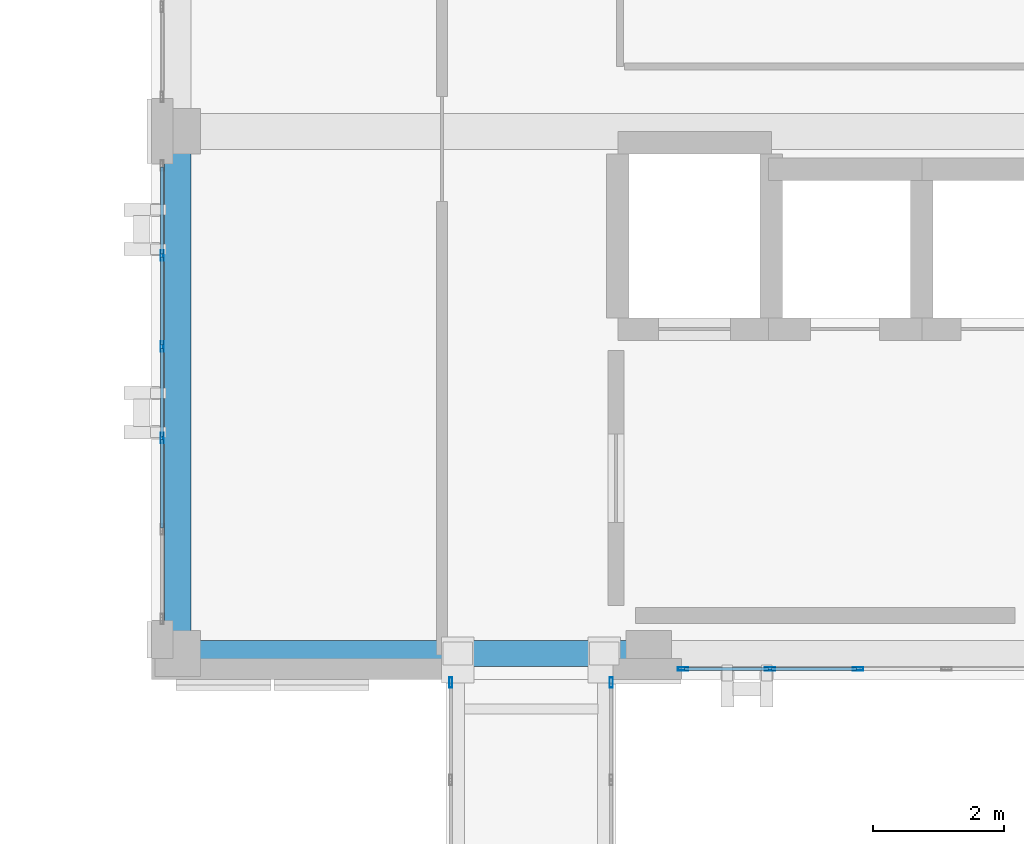
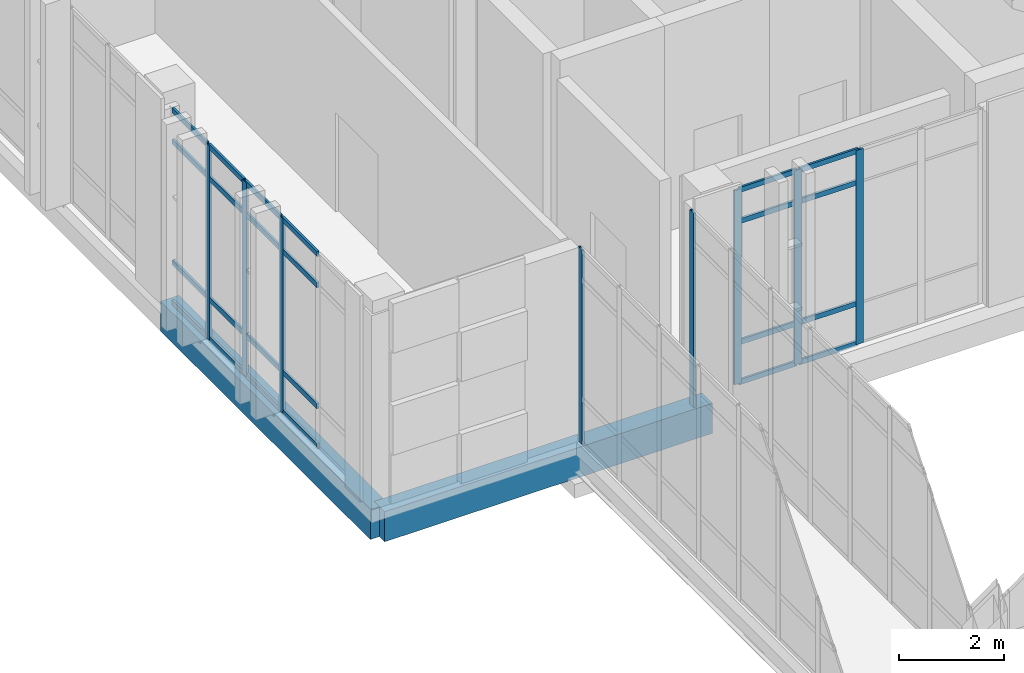
# One storey, part 57 of 189: 32 members, 2 beams, 4 elements without a shape of their own.
"""IFC4 building model written with IfcOpenShell, lengths in metres."""

import ifcopenshell
import ifcopenshell.guid

model = None  # the IFC model being written
_history = None  # IfcOwnerHistory: only IFC2X3 demands one
_inside = {}  # id of a spatial element -> (the spatial element, [elements in it])
_under = {}  # id of a project, library or spatial element -> (it, [spatial elements below it])
_declared = {}  # id of a project -> (the project, [libraries it declares])
_typed = {}  # id of a type object -> (the type object, [elements of that type])
_made_of = {}  # id of a material, layer set ... -> (it, [elements and type objects made of it])


def new_model(schema):
    """Start an empty IFC model of exactly this schema.

    Asked for "IFC4X3", IfcOpenShell would pick the latest addendum, in which some entities
    have other attributes; the version numbers below select the first issue.
    IFC2X3 requires an IfcOwnerHistory on every rooted entity: one is made here for all.
    """
    global model, _history
    if schema == "IFC4X3":
        model = ifcopenshell.file(schema_version=(4, 3, 0, 0))
    else:
        model = ifcopenshell.file(schema=schema)
    _inside.clear()
    _under.clear()
    _declared.clear()
    _typed.clear()
    _made_of.clear()
    _history = None
    if model.schema == "IFC2X3":
        org = make("IfcOrganization", Name="unknown")
        user = make(
            "IfcPersonAndOrganization",
            ThePerson=make("IfcPerson", FamilyName="unknown"),
            TheOrganization=org,
        )
        app = make(
            "IfcApplication",
            ApplicationDeveloper=org,
            Version="unknown",
            ApplicationFullName="unknown",
            ApplicationIdentifier="unknown",
        )
        _history = make(
            "IfcOwnerHistory",
            OwningUser=user,
            OwningApplication=app,
            ChangeAction="ADDED",
            CreationDate=0,
        )
    return model


def make(cls, **values):
    """One entity of the class cls with the attributes given. An attribute that is None is left unset."""
    return model.create_entity(
        cls, **{name: value for name, value in values.items() if value is not None}
    )


def rooted(cls, **values):
    """An entity with a GlobalId (a new one), such as an element, a storey or a relation."""
    return make(cls, GlobalId=ifcopenshell.guid.new(), OwnerHistory=_history, **values)


def si_unit(unit_type, name, prefix=None):
    """IfcSIUnit, for example si_unit("LENGTHUNIT", "METRE", prefix="MILLI")."""
    return make("IfcSIUnit", UnitType=unit_type, Prefix=prefix, Name=name)


def assignment(units):
    """IfcUnitAssignment: the units of a project."""
    return None if units is None else make("IfcUnitAssignment", Units=units)


def point(xyz):
    """IfcCartesianPoint."""
    return None if xyz is None else make("IfcCartesianPoint", Coordinates=xyz)


def direction(xyz):
    """IfcDirection."""
    return None if xyz is None else make("IfcDirection", DirectionRatios=xyz)


def frame(location, z_axis=None, x_axis=None):
    """IfcAxis2Placement3D, a coordinate frame: its origin and axes. An axis left out is left unset."""
    return make(
        "IfcAxis2Placement3D",
        Location=point(location),
        Axis=direction(z_axis),
        RefDirection=direction(x_axis),
    )


def frame_2d(location, x_axis=None):
    """IfcAxis2Placement2D, a coordinate frame in the plane: its origin and x axis."""
    return make(
        "IfcAxis2Placement2D", Location=point(location), RefDirection=direction(x_axis)
    )


def origin():
    """The frame at (0, 0, 0) with its axes left unset."""
    return frame((0.0, 0.0, 0.0))


def origin_2d():
    """The frame at (0, 0) in the plane with its x axis left unset."""
    return frame_2d((0.0, 0.0))


def place(relative_to, where):
    """IfcLocalPlacement: puts the frame where relative to a parent placement (None: the world)."""
    return make(
        "IfcLocalPlacement", PlacementRelTo=relative_to, RelativePlacement=where
    )


def context(
    kind, dimensions, precision=None, world=None, true_north=None, identifier=None
):
    """IfcGeometricRepresentationContext, for example the 3D "Model" context."""
    return make(
        "IfcGeometricRepresentationContext",
        ContextIdentifier=identifier,
        ContextType=kind,
        CoordinateSpaceDimension=dimensions,
        Precision=precision,
        WorldCoordinateSystem=world,
        TrueNorth=true_north,
    )


def subcontext(parent, identifier, kind, view, scale=None):
    """IfcGeometricRepresentationSubContext, for example "Body" below "Model"."""
    return make(
        "IfcGeometricRepresentationSubContext",
        ContextIdentifier=identifier,
        ContextType=kind,
        ParentContext=parent,
        TargetScale=scale,
        TargetView=view,
    )


def project(units=None, contexts=None):
    """IfcProject with its units and contexts."""
    return rooted(
        "IfcProject",
        Name="project",
        RepresentationContexts=contexts,
        UnitsInContext=assignment(units),
    )


def spatial(cls, under=None, at=None, **own):
    """A site, building, storey or space (cls), placed at a placement, below another one or the project."""
    s = rooted(cls, ObjectPlacement=at, **own)
    if under is not None:
        _under.setdefault(under.id(), (under, []))[1].append(s)
    return s


def profile(cls, at=None, kind="AREA", **sizes):
    """A parametric profile (cls). Its sizes go by their IFC names, for example OverallWidth=200.0."""
    return make(cls, ProfileType=kind, Position=at, **sizes)


def rectangle(**sizes):
    """IfcRectangleProfileDef."""
    return profile("IfcRectangleProfileDef", **sizes)


def hollow_rectangle(**sizes):
    """IfcRectangleHollowProfileDef."""
    return profile("IfcRectangleHollowProfileDef", **sizes)


def extrude(swept, where, along, depth):
    """IfcExtrudedAreaSolid: the profile swept, set in the frame where, extruded along a direction by depth."""
    return make(
        "IfcExtrudedAreaSolid",
        SweptArea=swept,
        Position=where,
        ExtrudedDirection=direction(along),
        Depth=depth,
    )


def shape(context_of_items, identifier, shape_type, items):
    """IfcShapeRepresentation: the items that make up one representation, for example the "Body"."""
    return make(
        "IfcShapeRepresentation",
        ContextOfItems=context_of_items,
        RepresentationIdentifier=identifier,
        RepresentationType=shape_type,
        Items=items,
    )


def material(Name=None, Category=None):
    """IfcMaterial."""
    return make("IfcMaterial", Name=Name, Category=Category)


def layer(
    of_material, thickness, ventilated=None, Name=None, Category=None, Priority=None
):
    """IfcMaterialLayer: one layer of a wall or slab, of a material (None: an air gap)."""
    return make(
        "IfcMaterialLayer",
        Material=of_material,
        LayerThickness=thickness,
        IsVentilated=ventilated,
        Name=Name,
        Category=Category,
        Priority=Priority,
    )


def layer_set(layers, Name=None):
    """IfcMaterialLayerSet."""
    return make("IfcMaterialLayerSet", MaterialLayers=layers, LayerSetName=Name)


def material_profile(
    of_material, cross_section, Name=None, Category=None, Priority=None
):
    """IfcMaterialProfile: a cross section and its material."""
    return make(
        "IfcMaterialProfile",
        Name=Name,
        Material=of_material,
        Profile=cross_section,
        Priority=Priority,
        Category=Category,
    )


def profile_set(profiles, Name=None, composite=None):
    """IfcMaterialProfileSet."""
    return make(
        "IfcMaterialProfileSet",
        Name=Name,
        MaterialProfiles=profiles,
        CompositeProfile=composite,
    )


def made_of(thing, what):
    """Note that an element or type object is made of a material, layer set ...; save() writes the relation."""
    if what is not None:
        _made_of.setdefault(what.id(), (what, []))[1].append(thing)
    return thing


def type_object(cls, material=None, **own):
    """A type object (cls), such as IfcWallType, which elements share."""
    return made_of(rooted(cls, **own), material)


def element(
    cls,
    number,
    at=None,
    inside=None,
    cuts=None,
    type_object=None,
    material=None,
    context=None,
    identifier="Body",
    shape_type=None,
    held_by="IfcProductDefinitionShape",
    body=None,
    shapes=None,
    **own,
):
    """One element of the class cls, such as IfcWall. Its Tag is "e" and its number.

    at: its placement. inside: the storey or other place that contains it. cuts: it is an
    opening in that element (IfcRelVoidsElement). A single representation is given by context,
    identifier, shape_type and body (its items); several are given by shapes. held_by: the class
    of the entity that holds the representations. save() writes the other relations.
    """
    e = rooted(cls, Tag="e%d" % number, ObjectPlacement=at, **own)
    if body is not None:
        shapes = [shape(context, identifier, shape_type, body)]
    if shapes is not None:
        e.Representation = make(held_by, Representations=shapes)
    if inside is not None:
        _inside.setdefault(inside.id(), (inside, []))[1].append(e)
    if cuts is not None:
        rooted(
            "IfcRelVoidsElement", RelatingBuildingElement=cuts, RelatedOpeningElement=e
        )
    if type_object is not None:
        _typed.setdefault(type_object.id(), (type_object, []))[1].append(e)
    return made_of(e, material)


def aggregate(whole, parts):
    """IfcRelAggregates: a whole, such as a stair, and the parts it consists of."""
    return rooted("IfcRelAggregates", RelatingObject=whole, RelatedObjects=parts)


def save(model, path):
    """Write the relations noted so far, then the file.

    IfcRelAggregates (storeys below a building ...), IfcRelContainedInSpatialStructure (elements
    in a storey), IfcRelDefinesByType, IfcRelAssociatesMaterial and IfcRelDeclares: one each for
    every whole, place, type object, material and project.
    """
    for whole, parts in _under.values():
        aggregate(whole, parts)
    for where, things in _inside.values():
        rooted(
            "IfcRelContainedInSpatialStructure",
            RelatedElements=things,
            RelatingStructure=where,
        )
    for kind, things in _typed.values():
        rooted("IfcRelDefinesByType", RelatedObjects=things, RelatingType=kind)
    for what, things in _made_of.values():
        rooted("IfcRelAssociatesMaterial", RelatedObjects=things, RelatingMaterial=what)
    for by, libraries in _declared.values():
        rooted("IfcRelDeclares", RelatingContext=by, RelatedDefinitions=libraries)
    model.write(path)


model = new_model("IFC4")

# Units and contexts
model_context = context("Model", 3, precision=1e-05, world=origin(), true_north=direction((0.0, 1.0)))
body_context = subcontext(model_context, "Body", "Model", "MODEL_VIEW")
ifc_project = project(units=[si_unit("LENGTHUNIT", "METRE"), si_unit("AREAUNIT", "SQUARE_METRE"), si_unit("VOLUMEUNIT", "CUBIC_METRE"), si_unit("PLANEANGLEUNIT", "RADIAN"), si_unit("MASSUNIT", "GRAM", prefix="KILO")], contexts=[model_context])

# Site, building, storey
site_placement = place(None, origin())
site = spatial("IfcSite", under=ifc_project, at=site_placement, CompositionType="ELEMENT")
building_placement = place(site_placement, origin())
building = spatial("IfcBuilding", under=site, at=building_placement, Name="Qalavern Law Courts", CompositionType="ELEMENT")
storey_placement = place(building_placement, frame((0.0, 0.0, 5.39990234375)))
storey = spatial("IfcBuildingStorey", under=building, at=storey_placement, Name="L01", CompositionType="ELEMENT", Elevation=5.39990234375)

# Curtain wall, members
ifc_material_1 = material(Name="Anodised aluminium and insulated glazing", Category="aluminium")
ifc_layer_1 = layer(ifc_material_1, 0.172119140625)
ifc_layer_set_1 = layer_set([ifc_layer_1], Name="Anodised aluminium and insulated glazing")
curtain_wall_type_1 = type_object("IfcCurtainWallType", Name="ENV-CW-COURT", PredefinedType="USERDEFINED", material=ifc_layer_set_1)
curtain_wall_1_placement = place(storey_placement, origin())
curtain_wall_1 = element("IfcCurtainWall", 1, at=curtain_wall_1_placement, inside=storey, type_object=curtain_wall_type_1, Name="V4 unitised curtain wall L01 south 1", ObjectType="UNITISED CURTAIN WALL", PredefinedType="USERDEFINED")
ifc_material_2 = material(Name="Anodised aluminium", Category="aluminium")
ifc_material_profile_1 = material_profile(ifc_material_2, hollow_rectangle(XDim=0.048095703125, YDim=0.159912109375, WallThickness=0.00390625, at=origin_2d()), Name="ALU MULLION 48x160")
ifc_profile_set_1 = profile_set([ifc_material_profile_1], Name="Anodised aluminium")
member_type_1 = type_object("IfcMemberType", Name="ENV-CWM-48x160", PredefinedType="MULLION", material=ifc_profile_set_1)
member_1_placement = place(storey_placement, frame((92.323974609375, 41.1826171875, 0.0), z_axis=(0.0, 0.0, 1.0), x_axis=(0.0, 1.0, 0.0)))
member_1 = element("IfcMember", 2, at=member_1_placement, type_object=member_type_1, Name="CW-03 mullion 1", PredefinedType="MULLION", context=body_context, shape_type="SweptSolid", body=[
    extrude(hollow_rectangle(XDim=0.048095703125, YDim=0.159912109375, WallThickness=0.00390625, at=origin_2d()), origin(), (0.0, 0.0, 1.0), 4.510009765625),
])
member_2_placement = place(storey_placement, frame((93.64990234375, 41.1826171875, 0.0), z_axis=(0.0, 0.0, 1.0), x_axis=(0.0, 1.0, 0.0)))
member_2 = element("IfcMember", 3, at=member_2_placement, type_object=member_type_1, Name="CW-03 mullion 2", PredefinedType="MULLION", context=body_context, shape_type="SweptSolid", body=[
    extrude(hollow_rectangle(XDim=0.048095703125, YDim=0.159912109375, WallThickness=0.00390625, at=origin_2d()), origin(), (0.0, 0.0, 1.0), 4.510009765625),
])
member_3_placement = place(storey_placement, frame((95.0, 41.1826171875, 0.0), z_axis=(0.0, 0.0, 1.0), x_axis=(0.0, 1.0, 0.0)))
member_3 = element("IfcMember", 4, at=member_3_placement, type_object=member_type_1, Name="CW-03 mullion 3", PredefinedType="MULLION", context=body_context, shape_type="SweptSolid", body=[
    extrude(hollow_rectangle(XDim=0.048095703125, YDim=0.159912109375, WallThickness=0.00390625, at=origin_2d()), origin(), (0.0, 0.0, 1.0), 4.510009765625),
])

curtain_wall_2_placement = place(storey_placement, origin())
curtain_wall_2 = element("IfcCurtainWall", 5, at=curtain_wall_2_placement, inside=storey, type_object=curtain_wall_type_1, Name="V4 unitised curtain wall L01 west 6", ObjectType="UNITISED CURTAIN WALL", PredefinedType="USERDEFINED")
member_4_placement = place(storey_placement, frame((84.362548828125, 47.50390625, 0.0), z_axis=(0.0, 0.0, 1.0), x_axis=(1.0, 0.0, 0.0)))
member_4 = element("IfcMember", 6, at=member_4_placement, type_object=member_type_1, Name="CW-03 mullion 2", PredefinedType="MULLION", context=body_context, shape_type="SweptSolid", body=[
    extrude(hollow_rectangle(XDim=0.048095703125, YDim=0.159912109375, WallThickness=0.00390625, at=origin_2d()), origin(), (0.0, 0.0, 1.0), 4.510009765625),
])
member_5_placement = place(storey_placement, frame((84.362548828125, 46.10791015625, 0.0), z_axis=(0.0, 0.0, 1.0), x_axis=(1.0, 0.0, 0.0)))
member_5 = element("IfcMember", 7, at=member_5_placement, type_object=member_type_1, Name="CW-03 mullion 3", PredefinedType="MULLION", context=body_context, shape_type="SweptSolid", body=[
    extrude(hollow_rectangle(XDim=0.048095703125, YDim=0.159912109375, WallThickness=0.00390625, at=origin_2d()), origin(), (0.0, 0.0, 1.0), 4.510009765625),
])
member_6_placement = place(storey_placement, frame((84.362548828125, 44.7119140625, 0.0), z_axis=(0.0, 0.0, 1.0), x_axis=(1.0, 0.0, 0.0)))
member_6 = element("IfcMember", 8, at=member_6_placement, type_object=member_type_1, Name="CW-03 mullion 4", PredefinedType="MULLION", context=body_context, shape_type="SweptSolid", body=[
    extrude(hollow_rectangle(XDim=0.048095703125, YDim=0.159912109375, WallThickness=0.00390625, at=origin_2d()), origin(), (0.0, 0.0, 1.0), 4.510009765625),
])

# Curtain wall, member
ifc_layer_2 = layer(ifc_material_1, 0.14990234375)
ifc_layer_set_2 = layer_set([ifc_layer_2], Name="Anodised aluminium and insulated glazing")
curtain_wall_type_2 = type_object("IfcCurtainWallType", Name="ENV-CW-BRG", PredefinedType="USERDEFINED", material=ifc_layer_set_2)
curtain_wall_3_placement = place(storey_placement, origin())
curtain_wall_3 = element("IfcCurtainWall", 9, at=curtain_wall_3_placement, inside=storey, type_object=curtain_wall_type_2, Name="Bridge BR-V2-V4 glazed curtain wall L01-1", ObjectType="UNITISED CURTAIN WALL", PredefinedType="USERDEFINED")
member_7_placement = place(storey_placement, frame((88.77490234375, 40.97607421875, 0.0), z_axis=(0.0, 0.0, 1.0), x_axis=(1.0, 0.0, 0.0)))
member_7 = element("IfcMember", 10, at=member_7_placement, type_object=member_type_1, Name="CW-06 mullion 1", PredefinedType="MULLION", context=body_context, shape_type="SweptSolid", body=[
    extrude(hollow_rectangle(XDim=0.048095703125, YDim=0.159912109375, WallThickness=0.00390625, at=origin_2d()), origin(), (0.0, 0.0, 1.0), 4.510009765625),
])
aggregate(curtain_wall_3, [member_7])

curtain_wall_4_placement = place(storey_placement, origin())
curtain_wall_4 = element("IfcCurtainWall", 11, at=curtain_wall_4_placement, inside=storey, type_object=curtain_wall_type_2, Name="Bridge BR-V2-V4 glazed curtain wall L01-2", ObjectType="UNITISED CURTAIN WALL", PredefinedType="USERDEFINED")
member_8_placement = place(storey_placement, frame((91.22509765625, 40.97607421875, 0.0), z_axis=(0.0, 0.0, 1.0), x_axis=(-1.0, 0.0, 0.0)))
member_8 = element("IfcMember", 12, at=member_8_placement, type_object=member_type_1, Name="CW-06 mullion 8", PredefinedType="MULLION", context=body_context, shape_type="SweptSolid", body=[
    extrude(hollow_rectangle(XDim=0.048095703125, YDim=0.159912109375, WallThickness=0.00390625, at=origin_2d()), origin(), (0.0, 0.0, 1.0), 4.510009765625),
])
aggregate(curtain_wall_4, [member_8])

# Member
ifc_material_profile_2 = material_profile(ifc_material_2, hollow_rectangle(XDim=0.048095703125, YDim=0.1201171875, WallThickness=0.00390625, at=origin_2d()), Name="ALU TRANSOM 48x120")
ifc_profile_set_2 = profile_set([ifc_material_profile_2], Name="Anodised aluminium")
member_type_2 = type_object("IfcMemberType", Name="ENV-CWT-48x120", PredefinedType="USERDEFINED", material=ifc_profile_set_2)
member_9_placement = place(storey_placement, frame((92.347900390625, 41.1826171875, 0.024169921875), z_axis=(1.0, 0.0, 0.0), x_axis=(0.0, 1.0, 0.0)))
member_9 = element("IfcMember", 13, at=member_9_placement, type_object=member_type_2, Name="CW-03 transom 1.1", ObjectType="TRANSOM", PredefinedType="USERDEFINED", context=body_context, shape_type="SweptSolid", body=[
    extrude(hollow_rectangle(XDim=0.048095703125, YDim=0.1201171875, WallThickness=0.00390625, at=origin_2d()), origin(), (0.0, 0.0, 1.0), 1.278076171875),
])

member_10_placement = place(storey_placement, frame((92.347900390625, 41.1826171875, 0.9501953125), z_axis=(1.0, 0.0, 0.0), x_axis=(0.0, 1.0, 0.0)))
member_10 = element("IfcMember", 14, at=member_10_placement, type_object=member_type_2, Name="CW-03 transom 1.2", ObjectType="TRANSOM", PredefinedType="USERDEFINED", context=body_context, shape_type="SweptSolid", body=[
    extrude(hollow_rectangle(XDim=0.048095703125, YDim=0.1201171875, WallThickness=0.00390625, at=origin_2d()), origin(), (0.0, 0.0, 1.0), 1.278076171875),
])

member_11_placement = place(storey_placement, frame((92.347900390625, 41.1826171875, 3.760009765625), z_axis=(1.0, 0.0, 0.0), x_axis=(0.0, 1.0, 0.0)))
member_11 = element("IfcMember", 15, at=member_11_placement, type_object=member_type_2, Name="CW-03 transom 1.3", ObjectType="TRANSOM", PredefinedType="USERDEFINED", context=body_context, shape_type="SweptSolid", body=[
    extrude(hollow_rectangle(XDim=0.048095703125, YDim=0.1201171875, WallThickness=0.00390625, at=origin_2d()), origin(), (0.0, 0.0, 1.0), 1.278076171875),
])

member_12_placement = place(storey_placement, frame((92.347900390625, 41.1826171875, 4.486083984375), z_axis=(1.0, 0.0, 0.0), x_axis=(0.0, 1.0, 0.0)))
member_12 = element("IfcMember", 16, at=member_12_placement, type_object=member_type_2, Name="CW-03 transom 1.4", ObjectType="TRANSOM", PredefinedType="USERDEFINED", context=body_context, shape_type="SweptSolid", body=[
    extrude(hollow_rectangle(XDim=0.048095703125, YDim=0.1201171875, WallThickness=0.00390625, at=origin_2d()), origin(), (0.0, 0.0, 1.0), 1.278076171875),
])

member_13_placement = place(storey_placement, frame((93.674072265625, 41.1826171875, 0.024169921875), z_axis=(1.0, 0.0, 0.0), x_axis=(0.0, 1.0, 0.0)))
member_13 = element("IfcMember", 17, at=member_13_placement, type_object=member_type_2, Name="CW-03 transom 2.1", ObjectType="TRANSOM", PredefinedType="USERDEFINED", context=body_context, shape_type="SweptSolid", body=[
    extrude(hollow_rectangle(XDim=0.048095703125, YDim=0.1201171875, WallThickness=0.00390625, at=origin_2d()), origin(), (0.0, 0.0, 1.0), 1.302001953125),
])

member_14_placement = place(storey_placement, frame((93.674072265625, 41.1826171875, 0.9501953125), z_axis=(1.0, 0.0, 0.0), x_axis=(0.0, 1.0, 0.0)))
member_14 = element("IfcMember", 18, at=member_14_placement, type_object=member_type_2, Name="CW-03 transom 2.2", ObjectType="TRANSOM", PredefinedType="USERDEFINED", context=body_context, shape_type="SweptSolid", body=[
    extrude(hollow_rectangle(XDim=0.048095703125, YDim=0.1201171875, WallThickness=0.00390625, at=origin_2d()), origin(), (0.0, 0.0, 1.0), 1.302001953125),
])

member_15_placement = place(storey_placement, frame((93.674072265625, 41.1826171875, 3.760009765625), z_axis=(1.0, 0.0, 0.0), x_axis=(0.0, 1.0, 0.0)))
member_15 = element("IfcMember", 19, at=member_15_placement, type_object=member_type_2, Name="CW-03 transom 2.3", ObjectType="TRANSOM", PredefinedType="USERDEFINED", context=body_context, shape_type="SweptSolid", body=[
    extrude(hollow_rectangle(XDim=0.048095703125, YDim=0.1201171875, WallThickness=0.00390625, at=origin_2d()), origin(), (0.0, 0.0, 1.0), 1.302001953125),
])

member_16_placement = place(storey_placement, frame((93.674072265625, 41.1826171875, 4.486083984375), z_axis=(1.0, 0.0, 0.0), x_axis=(0.0, 1.0, 0.0)))
member_16 = element("IfcMember", 20, at=member_16_placement, type_object=member_type_2, Name="CW-03 transom 2.4", ObjectType="TRANSOM", PredefinedType="USERDEFINED", context=body_context, shape_type="SweptSolid", body=[
    extrude(hollow_rectangle(XDim=0.048095703125, YDim=0.1201171875, WallThickness=0.00390625, at=origin_2d()), origin(), (0.0, 0.0, 1.0), 1.302001953125),
])

aggregate(curtain_wall_1, [member_1, member_2, member_3, member_9, member_10, member_11, member_12, member_13, member_14, member_15, member_16])

member_17_placement = place(storey_placement, frame((84.362548828125, 48.85205078125, 0.024169921875), z_axis=(0.0, -1.0, 0.0), x_axis=(1.0, 0.0, 0.0)))
member_17 = element("IfcMember", 21, at=member_17_placement, type_object=member_type_2, Name="CW-03 transom 1.1", ObjectType="TRANSOM", PredefinedType="USERDEFINED", context=body_context, shape_type="SweptSolid", body=[
    extrude(hollow_rectangle(XDim=0.048095703125, YDim=0.1201171875, WallThickness=0.00390625, at=origin_2d()), origin(), (0.0, 0.0, 1.0), 1.323974609375),
])

member_18_placement = place(storey_placement, frame((84.362548828125, 48.85205078125, 0.9501953125), z_axis=(0.0, -1.0, 0.0), x_axis=(1.0, 0.0, 0.0)))
member_18 = element("IfcMember", 22, at=member_18_placement, type_object=member_type_2, Name="CW-03 transom 1.2", ObjectType="TRANSOM", PredefinedType="USERDEFINED", context=body_context, shape_type="SweptSolid", body=[
    extrude(hollow_rectangle(XDim=0.048095703125, YDim=0.1201171875, WallThickness=0.00390625, at=origin_2d()), origin(), (0.0, 0.0, 1.0), 1.323974609375),
])

member_19_placement = place(storey_placement, frame((84.362548828125, 48.85205078125, 3.760009765625), z_axis=(0.0, -1.0, 0.0), x_axis=(1.0, 0.0, 0.0)))
member_19 = element("IfcMember", 23, at=member_19_placement, type_object=member_type_2, Name="CW-03 transom 1.3", ObjectType="TRANSOM", PredefinedType="USERDEFINED", context=body_context, shape_type="SweptSolid", body=[
    extrude(hollow_rectangle(XDim=0.048095703125, YDim=0.1201171875, WallThickness=0.00390625, at=origin_2d()), origin(), (0.0, 0.0, 1.0), 1.323974609375),
])

member_20_placement = place(storey_placement, frame((84.362548828125, 48.85205078125, 4.486083984375), z_axis=(0.0, -1.0, 0.0), x_axis=(1.0, 0.0, 0.0)))
member_20 = element("IfcMember", 24, at=member_20_placement, type_object=member_type_2, Name="CW-03 transom 1.4", ObjectType="TRANSOM", PredefinedType="USERDEFINED", context=body_context, shape_type="SweptSolid", body=[
    extrude(hollow_rectangle(XDim=0.048095703125, YDim=0.1201171875, WallThickness=0.00390625, at=origin_2d()), origin(), (0.0, 0.0, 1.0), 1.323974609375),
])

member_21_placement = place(storey_placement, frame((84.362548828125, 47.47998046875, 0.024169921875), z_axis=(0.0, -1.0, 0.0), x_axis=(1.0, 0.0, 0.0)))
member_21 = element("IfcMember", 25, at=member_21_placement, type_object=member_type_2, Name="CW-03 transom 2.1", ObjectType="TRANSOM", PredefinedType="USERDEFINED", context=body_context, shape_type="SweptSolid", body=[
    extrude(hollow_rectangle(XDim=0.048095703125, YDim=0.1201171875, WallThickness=0.00390625, at=origin_2d()), origin(), (0.0, 0.0, 1.0), 1.347900390625),
])

member_22_placement = place(storey_placement, frame((84.362548828125, 47.47998046875, 0.9501953125), z_axis=(0.0, -1.0, 0.0), x_axis=(1.0, 0.0, 0.0)))
member_22 = element("IfcMember", 26, at=member_22_placement, type_object=member_type_2, Name="CW-03 transom 2.2", ObjectType="TRANSOM", PredefinedType="USERDEFINED", context=body_context, shape_type="SweptSolid", body=[
    extrude(hollow_rectangle(XDim=0.048095703125, YDim=0.1201171875, WallThickness=0.00390625, at=origin_2d()), origin(), (0.0, 0.0, 1.0), 1.347900390625),
])

member_23_placement = place(storey_placement, frame((84.362548828125, 47.47998046875, 3.760009765625), z_axis=(0.0, -1.0, 0.0), x_axis=(1.0, 0.0, 0.0)))
member_23 = element("IfcMember", 27, at=member_23_placement, type_object=member_type_2, Name="CW-03 transom 2.3", ObjectType="TRANSOM", PredefinedType="USERDEFINED", context=body_context, shape_type="SweptSolid", body=[
    extrude(hollow_rectangle(XDim=0.048095703125, YDim=0.1201171875, WallThickness=0.00390625, at=origin_2d()), origin(), (0.0, 0.0, 1.0), 1.347900390625),
])

member_24_placement = place(storey_placement, frame((84.362548828125, 47.47998046875, 4.486083984375), z_axis=(0.0, -1.0, 0.0), x_axis=(1.0, 0.0, 0.0)))
member_24 = element("IfcMember", 28, at=member_24_placement, type_object=member_type_2, Name="CW-03 transom 2.4", ObjectType="TRANSOM", PredefinedType="USERDEFINED", context=body_context, shape_type="SweptSolid", body=[
    extrude(hollow_rectangle(XDim=0.048095703125, YDim=0.1201171875, WallThickness=0.00390625, at=origin_2d()), origin(), (0.0, 0.0, 1.0), 1.347900390625),
])

member_25_placement = place(storey_placement, frame((84.362548828125, 46.083984375, 0.024169921875), z_axis=(0.0, -1.0, 0.0), x_axis=(1.0, 0.0, 0.0)))
member_25 = element("IfcMember", 29, at=member_25_placement, type_object=member_type_2, Name="CW-03 transom 3.1", ObjectType="TRANSOM", PredefinedType="USERDEFINED", context=body_context, shape_type="SweptSolid", body=[
    extrude(hollow_rectangle(XDim=0.048095703125, YDim=0.1201171875, WallThickness=0.00390625, at=origin_2d()), origin(), (0.0, 0.0, 1.0), 1.347900390625),
])

member_26_placement = place(storey_placement, frame((84.362548828125, 46.083984375, 0.9501953125), z_axis=(0.0, -1.0, 0.0), x_axis=(1.0, 0.0, 0.0)))
member_26 = element("IfcMember", 30, at=member_26_placement, type_object=member_type_2, Name="CW-03 transom 3.2", ObjectType="TRANSOM", PredefinedType="USERDEFINED", context=body_context, shape_type="SweptSolid", body=[
    extrude(hollow_rectangle(XDim=0.048095703125, YDim=0.1201171875, WallThickness=0.00390625, at=origin_2d()), origin(), (0.0, 0.0, 1.0), 1.347900390625),
])

member_27_placement = place(storey_placement, frame((84.362548828125, 46.083984375, 3.760009765625), z_axis=(0.0, -1.0, 0.0), x_axis=(1.0, 0.0, 0.0)))
member_27 = element("IfcMember", 31, at=member_27_placement, type_object=member_type_2, Name="CW-03 transom 3.3", ObjectType="TRANSOM", PredefinedType="USERDEFINED", context=body_context, shape_type="SweptSolid", body=[
    extrude(hollow_rectangle(XDim=0.048095703125, YDim=0.1201171875, WallThickness=0.00390625, at=origin_2d()), origin(), (0.0, 0.0, 1.0), 1.347900390625),
])

member_28_placement = place(storey_placement, frame((84.362548828125, 46.083984375, 4.486083984375), z_axis=(0.0, -1.0, 0.0), x_axis=(1.0, 0.0, 0.0)))
member_28 = element("IfcMember", 32, at=member_28_placement, type_object=member_type_2, Name="CW-03 transom 3.4", ObjectType="TRANSOM", PredefinedType="USERDEFINED", context=body_context, shape_type="SweptSolid", body=[
    extrude(hollow_rectangle(XDim=0.048095703125, YDim=0.1201171875, WallThickness=0.00390625, at=origin_2d()), origin(), (0.0, 0.0, 1.0), 1.347900390625),
])

member_29_placement = place(storey_placement, frame((84.362548828125, 44.68798828125, 0.024169921875), z_axis=(0.0, -1.0, 0.0), x_axis=(1.0, 0.0, 0.0)))
member_29 = element("IfcMember", 33, at=member_29_placement, type_object=member_type_2, Name="CW-03 transom 4.1", ObjectType="TRANSOM", PredefinedType="USERDEFINED", context=body_context, shape_type="SweptSolid", body=[
    extrude(hollow_rectangle(XDim=0.048095703125, YDim=0.1201171875, WallThickness=0.00390625, at=origin_2d()), origin(), (0.0, 0.0, 1.0), 1.347900390625),
])

member_30_placement = place(storey_placement, frame((84.362548828125, 44.68798828125, 0.9501953125), z_axis=(0.0, -1.0, 0.0), x_axis=(1.0, 0.0, 0.0)))
member_30 = element("IfcMember", 34, at=member_30_placement, type_object=member_type_2, Name="CW-03 transom 4.2", ObjectType="TRANSOM", PredefinedType="USERDEFINED", context=body_context, shape_type="SweptSolid", body=[
    extrude(hollow_rectangle(XDim=0.048095703125, YDim=0.1201171875, WallThickness=0.00390625, at=origin_2d()), origin(), (0.0, 0.0, 1.0), 1.347900390625),
])

member_31_placement = place(storey_placement, frame((84.362548828125, 44.68798828125, 3.760009765625), z_axis=(0.0, -1.0, 0.0), x_axis=(1.0, 0.0, 0.0)))
member_31 = element("IfcMember", 35, at=member_31_placement, type_object=member_type_2, Name="CW-03 transom 4.3", ObjectType="TRANSOM", PredefinedType="USERDEFINED", context=body_context, shape_type="SweptSolid", body=[
    extrude(hollow_rectangle(XDim=0.048095703125, YDim=0.1201171875, WallThickness=0.00390625, at=origin_2d()), origin(), (0.0, 0.0, 1.0), 1.347900390625),
])

member_32_placement = place(storey_placement, frame((84.362548828125, 44.68798828125, 4.486083984375), z_axis=(0.0, -1.0, 0.0), x_axis=(1.0, 0.0, 0.0)))
member_32 = element("IfcMember", 36, at=member_32_placement, type_object=member_type_2, Name="CW-03 transom 4.4", ObjectType="TRANSOM", PredefinedType="USERDEFINED", context=body_context, shape_type="SweptSolid", body=[
    extrude(hollow_rectangle(XDim=0.048095703125, YDim=0.1201171875, WallThickness=0.00390625, at=origin_2d()), origin(), (0.0, 0.0, 1.0), 1.347900390625),
])

aggregate(curtain_wall_2, [member_4, member_5, member_6, member_17, member_18, member_19, member_20, member_21, member_22, member_23, member_24, member_25, member_26, member_27, member_28, member_29, member_30, member_31, member_32])

# Beams
ifc_material_3 = material(Name="Concrete C40/50", Category="concrete")
ifc_material_profile_3 = material_profile(ifc_material_3, rectangle(XDim=0.39990234375, YDim=0.699951171875, at=origin_2d()), Name="RC 400x700")
ifc_profile_set_3 = profile_set([ifc_material_profile_3], Name="Concrete C40/50")
beam_type = type_object("IfcBeamType", Name="STR-SP-RC400x700", PredefinedType="SPANDREL", material=ifc_profile_set_3)
beam_1_placement = place(storey_placement, frame((84.60009765625, 41.419921875, -0.64990234375), z_axis=(1.0, 0.0, 0.0), x_axis=(0.0, 1.0, 0.0)))
element("IfcBeam", 37, at=beam_1_placement, inside=storey, type_object=beam_type, Name="V4 X-beam 1-1 L01", PredefinedType="SPANDREL", context=body_context, shape_type="SweptSolid", body=[
    extrude(rectangle(XDim=0.39990234375, YDim=0.699951171875, at=origin_2d()), origin(), (0.0, 0.0, 1.0), 7.199951171875),
])
beam_2_placement = place(storey_placement, frame((84.60009765625, 41.419921875, -0.64990234375), z_axis=(0.0, 1.0, 0.0), x_axis=(-1.0, 0.0, 0.0)))
element("IfcBeam", 38, at=beam_2_placement, inside=storey, type_object=beam_type, Name="V4 Y-beam 1-1 L01", PredefinedType="SPANDREL", context=body_context, shape_type="SweptSolid", body=[
    extrude(rectangle(XDim=0.39990234375, YDim=0.699951171875, at=origin_2d()), origin(), (0.0, 0.0, 1.0), 7.97998046875),
])

save(model, "model.ifc")
